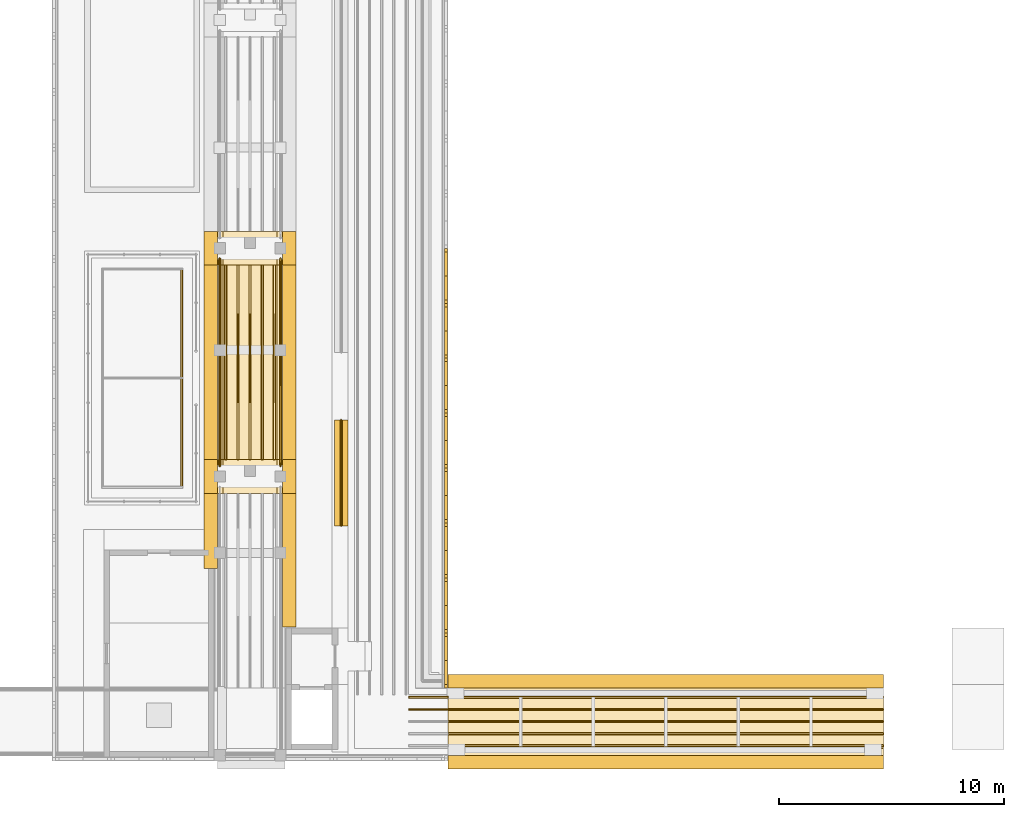
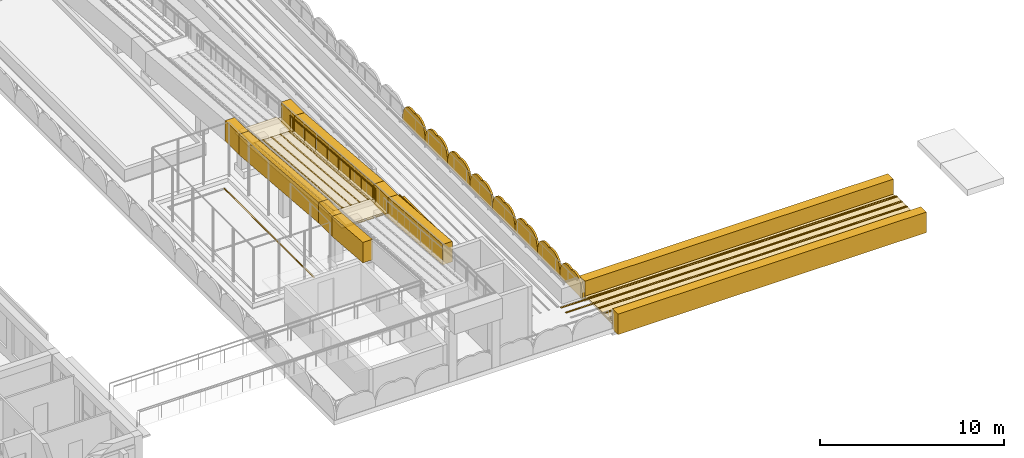
# One storey, part 46 of 50: 32 coverings, 8 shading devices, 3 railings.
"""IFC4 building model written with IfcOpenShell, lengths in metres."""

import ifcopenshell
import ifcopenshell.guid

model = None  # the IFC model being written
_history = None  # IfcOwnerHistory: only IFC2X3 demands one
_inside = {}  # id of a spatial element -> (the spatial element, [elements in it])
_under = {}  # id of a project, library or spatial element -> (it, [spatial elements below it])
_declared = {}  # id of a project -> (the project, [libraries it declares])
_typed = {}  # id of a type object -> (the type object, [elements of that type])
_made_of = {}  # id of a material, layer set ... -> (it, [elements and type objects made of it])


def new_model(schema):
    """Start an empty IFC model of exactly this schema.

    Asked for "IFC4X3", IfcOpenShell would pick the latest addendum, in which some entities
    have other attributes; the version numbers below select the first issue.
    IFC2X3 requires an IfcOwnerHistory on every rooted entity: one is made here for all.
    """
    global model, _history
    if schema == "IFC4X3":
        model = ifcopenshell.file(schema_version=(4, 3, 0, 0))
    else:
        model = ifcopenshell.file(schema=schema)
    _inside.clear()
    _under.clear()
    _declared.clear()
    _typed.clear()
    _made_of.clear()
    _history = None
    if model.schema == "IFC2X3":
        org = make("IfcOrganization", Name="unknown")
        user = make(
            "IfcPersonAndOrganization",
            ThePerson=make("IfcPerson", FamilyName="unknown"),
            TheOrganization=org,
        )
        app = make(
            "IfcApplication",
            ApplicationDeveloper=org,
            Version="unknown",
            ApplicationFullName="unknown",
            ApplicationIdentifier="unknown",
        )
        _history = make(
            "IfcOwnerHistory",
            OwningUser=user,
            OwningApplication=app,
            ChangeAction="ADDED",
            CreationDate=0,
        )
    return model


def make(cls, **values):
    """One entity of the class cls with the attributes given. An attribute that is None is left unset."""
    return model.create_entity(
        cls, **{name: value for name, value in values.items() if value is not None}
    )


def rooted(cls, **values):
    """An entity with a GlobalId (a new one), such as an element, a storey or a relation."""
    return make(cls, GlobalId=ifcopenshell.guid.new(), OwnerHistory=_history, **values)


def si_unit(unit_type, name, prefix=None):
    """IfcSIUnit, for example si_unit("LENGTHUNIT", "METRE", prefix="MILLI")."""
    return make("IfcSIUnit", UnitType=unit_type, Prefix=prefix, Name=name)


def assignment(units):
    """IfcUnitAssignment: the units of a project."""
    return None if units is None else make("IfcUnitAssignment", Units=units)


def point(xyz):
    """IfcCartesianPoint."""
    return None if xyz is None else make("IfcCartesianPoint", Coordinates=xyz)


def direction(xyz):
    """IfcDirection."""
    return None if xyz is None else make("IfcDirection", DirectionRatios=xyz)


def frame(location, z_axis=None, x_axis=None):
    """IfcAxis2Placement3D, a coordinate frame: its origin and axes. An axis left out is left unset."""
    return make(
        "IfcAxis2Placement3D",
        Location=point(location),
        Axis=direction(z_axis),
        RefDirection=direction(x_axis),
    )


def frame_2d(location, x_axis=None):
    """IfcAxis2Placement2D, a coordinate frame in the plane: its origin and x axis."""
    return make(
        "IfcAxis2Placement2D", Location=point(location), RefDirection=direction(x_axis)
    )


def origin():
    """The frame at (0, 0, 0) with its axes left unset."""
    return frame((0.0, 0.0, 0.0))


def origin_2d():
    """The frame at (0, 0) in the plane with its x axis left unset."""
    return frame_2d((0.0, 0.0))


def place(relative_to, where):
    """IfcLocalPlacement: puts the frame where relative to a parent placement (None: the world)."""
    return make(
        "IfcLocalPlacement", PlacementRelTo=relative_to, RelativePlacement=where
    )


def context(
    kind, dimensions, precision=None, world=None, true_north=None, identifier=None
):
    """IfcGeometricRepresentationContext, for example the 3D "Model" context."""
    return make(
        "IfcGeometricRepresentationContext",
        ContextIdentifier=identifier,
        ContextType=kind,
        CoordinateSpaceDimension=dimensions,
        Precision=precision,
        WorldCoordinateSystem=world,
        TrueNorth=true_north,
    )


def subcontext(parent, identifier, kind, view, scale=None):
    """IfcGeometricRepresentationSubContext, for example "Body" below "Model"."""
    return make(
        "IfcGeometricRepresentationSubContext",
        ContextIdentifier=identifier,
        ContextType=kind,
        ParentContext=parent,
        TargetScale=scale,
        TargetView=view,
    )


def project(units=None, contexts=None):
    """IfcProject with its units and contexts."""
    return rooted(
        "IfcProject",
        Name="project",
        RepresentationContexts=contexts,
        UnitsInContext=assignment(units),
    )


def spatial(cls, under=None, at=None, **own):
    """A site, building, storey or space (cls), placed at a placement, below another one or the project."""
    s = rooted(cls, ObjectPlacement=at, **own)
    if under is not None:
        _under.setdefault(under.id(), (under, []))[1].append(s)
    return s


def polyline(points):
    """IfcPolyline through the points."""
    return make("IfcPolyline", Points=[point(p) for p in points])


def profile(cls, at=None, kind="AREA", **sizes):
    """A parametric profile (cls). Its sizes go by their IFC names, for example OverallWidth=200.0."""
    return make(cls, ProfileType=kind, Position=at, **sizes)


def circle(**sizes):
    """IfcCircleProfileDef."""
    return profile("IfcCircleProfileDef", **sizes)


def outline(outer, holes=None, kind="AREA"):
    """IfcArbitraryClosedProfileDef: a profile drawn as a closed curve; with holes, ...WithVoids."""
    if holes is None:
        return make("IfcArbitraryClosedProfileDef", ProfileType=kind, OuterCurve=outer)
    return make(
        "IfcArbitraryProfileDefWithVoids",
        ProfileType=kind,
        OuterCurve=outer,
        InnerCurves=holes,
    )


def extrude(swept, where, along, depth):
    """IfcExtrudedAreaSolid: the profile swept, set in the frame where, extruded along a direction by depth."""
    return make(
        "IfcExtrudedAreaSolid",
        SweptArea=swept,
        Position=where,
        ExtrudedDirection=direction(along),
        Depth=depth,
    )


def shape(context_of_items, identifier, shape_type, items):
    """IfcShapeRepresentation: the items that make up one representation, for example the "Body"."""
    return make(
        "IfcShapeRepresentation",
        ContextOfItems=context_of_items,
        RepresentationIdentifier=identifier,
        RepresentationType=shape_type,
        Items=items,
    )


def material(Name=None, Category=None):
    """IfcMaterial."""
    return make("IfcMaterial", Name=Name, Category=Category)


def layer(
    of_material, thickness, ventilated=None, Name=None, Category=None, Priority=None
):
    """IfcMaterialLayer: one layer of a wall or slab, of a material (None: an air gap)."""
    return make(
        "IfcMaterialLayer",
        Material=of_material,
        LayerThickness=thickness,
        IsVentilated=ventilated,
        Name=Name,
        Category=Category,
        Priority=Priority,
    )


def layer_set(layers, Name=None):
    """IfcMaterialLayerSet."""
    return make("IfcMaterialLayerSet", MaterialLayers=layers, LayerSetName=Name)


def made_of(thing, what):
    """Note that an element or type object is made of a material, layer set ...; save() writes the relation."""
    if what is not None:
        _made_of.setdefault(what.id(), (what, []))[1].append(thing)
    return thing


def type_object(cls, material=None, **own):
    """A type object (cls), such as IfcWallType, which elements share."""
    return made_of(rooted(cls, **own), material)


def element(
    cls,
    number,
    at=None,
    inside=None,
    cuts=None,
    type_object=None,
    material=None,
    context=None,
    identifier="Body",
    shape_type=None,
    held_by="IfcProductDefinitionShape",
    body=None,
    shapes=None,
    **own,
):
    """One element of the class cls, such as IfcWall. Its Tag is "e" and its number.

    at: its placement. inside: the storey or other place that contains it. cuts: it is an
    opening in that element (IfcRelVoidsElement). A single representation is given by context,
    identifier, shape_type and body (its items); several are given by shapes. held_by: the class
    of the entity that holds the representations. save() writes the other relations.
    """
    e = rooted(cls, Tag="e%d" % number, ObjectPlacement=at, **own)
    if body is not None:
        shapes = [shape(context, identifier, shape_type, body)]
    if shapes is not None:
        e.Representation = make(held_by, Representations=shapes)
    if inside is not None:
        _inside.setdefault(inside.id(), (inside, []))[1].append(e)
    if cuts is not None:
        rooted(
            "IfcRelVoidsElement", RelatingBuildingElement=cuts, RelatedOpeningElement=e
        )
    if type_object is not None:
        _typed.setdefault(type_object.id(), (type_object, []))[1].append(e)
    return made_of(e, material)


def aggregate(whole, parts):
    """IfcRelAggregates: a whole, such as a stair, and the parts it consists of."""
    return rooted("IfcRelAggregates", RelatingObject=whole, RelatedObjects=parts)


def save(model, path):
    """Write the relations noted so far, then the file.

    IfcRelAggregates (storeys below a building ...), IfcRelContainedInSpatialStructure (elements
    in a storey), IfcRelDefinesByType, IfcRelAssociatesMaterial and IfcRelDeclares: one each for
    every whole, place, type object, material and project.
    """
    for whole, parts in _under.values():
        aggregate(whole, parts)
    for where, things in _inside.values():
        rooted(
            "IfcRelContainedInSpatialStructure",
            RelatedElements=things,
            RelatingStructure=where,
        )
    for kind, things in _typed.values():
        rooted("IfcRelDefinesByType", RelatedObjects=things, RelatingType=kind)
    for what, things in _made_of.values():
        rooted("IfcRelAssociatesMaterial", RelatedObjects=things, RelatingMaterial=what)
    for by, libraries in _declared.values():
        rooted("IfcRelDeclares", RelatingContext=by, RelatedDefinitions=libraries)
    model.write(path)


model = new_model("IFC4")

# Units and contexts
model_context = context("Model", 3, precision=1e-05, world=origin(), true_north=direction((0.0, 1.0)))
body_context = subcontext(model_context, "Body", "Model", "MODEL_VIEW")
ifc_project = project(units=[si_unit("LENGTHUNIT", "METRE"), si_unit("AREAUNIT", "SQUARE_METRE"), si_unit("VOLUMEUNIT", "CUBIC_METRE"), si_unit("PLANEANGLEUNIT", "RADIAN"), si_unit("MASSUNIT", "GRAM", prefix="KILO")], contexts=[model_context])

# Site, building, storey
site_placement = place(None, origin())
site = spatial("IfcSite", under=ifc_project, at=site_placement, CompositionType="ELEMENT")
building_placement = place(site_placement, origin())
building = spatial("IfcBuilding", under=site, at=building_placement, Name="Elbe Cascade School", CompositionType="ELEMENT")
storey_placement = place(building_placement, frame((0.0, 0.0, 15.300048828125)))
storey = spatial("IfcBuildingStorey", under=building, at=storey_placement, Name="L04", CompositionType="ELEMENT", Elevation=15.300048828125)

# Shading devices
ifc_material_1 = material(Name="Precast concrete C40/50", Category="concrete")
ifc_layer_1 = layer(ifc_material_1, 0.1201171875)
ifc_layer_set_1 = layer_set([ifc_layer_1], Name="Precast concrete C40/50")
shading_device_type = type_object("IfcShadingDeviceType", Name="Bars envelope Attic jali screen, pointed arch top, pierced precast concrete, 1200 high", PredefinedType="USERDEFINED", material=ifc_layer_set_1)
shading_device_1_placement = place(storey_placement, frame((115.919921875, 9.0, 0.0), z_axis=(1.0, 0.0, 0.0), x_axis=(0.0, 1.0, 0.0)))
element("IfcShadingDevice", 1, at=shading_device_1_placement, inside=storey, type_object=shading_device_type, Name="Attic jali screen SD1 B.L04.e2", ObjectType="JALI", PredefinedType="USERDEFINED", context=body_context, shape_type="SweptSolid", body=[
    extrude(outline(polyline([(0.0, 0.0), (2.4404296875, 0.0), (2.4404296875, 0.39990234375), (2.287841796875, 0.892822265625), (2.135498046875, 1.062744140625), (1.98291015625, 1.16748046875), (1.830322265625, 1.23193359375), (1.677734375, 1.265380859375), (1.525390625, 1.271240234375), (1.372802734375, 1.250244140625), (1.22021484375, 1.199951171875), (1.067626953125, 1.250244140625), (0.915283203125, 1.271240234375), (0.7626953125, 1.265380859375), (0.610107421875, 1.23193359375), (0.45751953125, 1.16748046875), (0.30517578125, 1.062744140625), (0.152587890625, 0.892822265625), (0.0, 0.39990234375), (0.0, 0.0)])), origin(), (0.0, 0.0, -1.0), 0.1201171875),
])
shading_device_2_placement = place(storey_placement, frame((115.919921875, 11.4404296875, 0.0), z_axis=(1.0, 0.0, 0.0), x_axis=(0.0, 1.0, 0.0)))
element("IfcShadingDevice", 2, at=shading_device_2_placement, inside=storey, type_object=shading_device_type, Name="Attic jali screen SD1 B.L04.e3", ObjectType="JALI", PredefinedType="USERDEFINED", context=body_context, shape_type="SweptSolid", body=[
    extrude(outline(polyline([(0.0, 0.0), (2.440673828125, 0.0), (2.440673828125, 0.39990234375), (2.2880859375, 0.892822265625), (2.135498046875, 1.062744140625), (1.98291015625, 1.16748046875), (1.830322265625, 1.23193359375), (1.677978515625, 1.265380859375), (1.525390625, 1.271240234375), (1.372802734375, 1.250244140625), (1.22021484375, 1.199951171875), (1.06787109375, 1.250244140625), (0.915283203125, 1.271240234375), (0.7626953125, 1.265380859375), (0.610107421875, 1.23193359375), (0.457763671875, 1.16748046875), (0.30517578125, 1.062744140625), (0.152587890625, 0.892822265625), (0.0, 0.39990234375), (0.0, 0.0)])), origin(), (0.0, 0.0, -1.0), 0.1201171875),
])
shading_device_3_placement = place(storey_placement, frame((115.919921875, 13.881103515625, 0.0), z_axis=(1.0, 0.0, 0.0), x_axis=(0.0, 1.0, 0.0)))
element("IfcShadingDevice", 3, at=shading_device_3_placement, inside=storey, type_object=shading_device_type, Name="Attic jali screen SD1 B.L04.e4", ObjectType="JALI", PredefinedType="USERDEFINED", context=body_context, shape_type="SweptSolid", body=[
    extrude(outline(polyline([(0.0, 0.0), (2.440185546875, 0.0), (2.440185546875, 0.39990234375), (2.287841796875, 0.892822265625), (2.13525390625, 1.062744140625), (1.982666015625, 1.16748046875), (1.830078125, 1.23193359375), (1.677734375, 1.265380859375), (1.525146484375, 1.271240234375), (1.37255859375, 1.250244140625), (1.22021484375, 1.199951171875), (1.067626953125, 1.250244140625), (0.9150390625, 1.271240234375), (0.762451171875, 1.265380859375), (0.610107421875, 1.23193359375), (0.457275390625, 1.16748046875), (0.304931640625, 1.062744140625), (0.15234375, 0.892822265625), (0.0, 0.39990234375), (0.0, 0.0)])), origin(), (0.0, 0.0, -1.0), 0.1201171875),
])
shading_device_4_placement = place(storey_placement, frame((115.919921875, 16.3212890625, 0.0), z_axis=(1.0, 0.0, 0.0), x_axis=(0.0, 1.0, 0.0)))
element("IfcShadingDevice", 4, at=shading_device_4_placement, inside=storey, type_object=shading_device_type, Name="Attic jali screen SD1 B.L04.e5", ObjectType="JALI", PredefinedType="USERDEFINED", context=body_context, shape_type="SweptSolid", body=[
    extrude(outline(polyline([(0.0, 0.0), (2.440673828125, 0.0), (2.440673828125, 0.39990234375), (2.2880859375, 0.892822265625), (2.135498046875, 1.062744140625), (1.98291015625, 1.16748046875), (1.83056640625, 1.23193359375), (1.677978515625, 1.265380859375), (1.525390625, 1.271240234375), (1.372802734375, 1.250244140625), (1.220458984375, 1.199951171875), (1.06787109375, 1.250244140625), (0.915283203125, 1.271240234375), (0.7626953125, 1.265380859375), (0.610107421875, 1.23193359375), (0.457763671875, 1.16748046875), (0.30517578125, 1.062744140625), (0.15283203125, 0.892822265625), (0.0, 0.39990234375), (0.0, 0.0)])), origin(), (0.0, 0.0, -1.0), 0.1201171875),
])
shading_device_5_placement = place(storey_placement, frame((115.919921875, 18.761962890625, 0.0), z_axis=(1.0, 0.0, 0.0), x_axis=(0.0, 1.0, 0.0)))
element("IfcShadingDevice", 5, at=shading_device_5_placement, inside=storey, type_object=shading_device_type, Name="Attic jali screen SD1 B.L04.e6", ObjectType="JALI", PredefinedType="USERDEFINED", context=body_context, shape_type="SweptSolid", body=[
    extrude(outline(polyline([(0.0, 0.0), (2.4404296875, 0.0), (2.4404296875, 0.39990234375), (2.287841796875, 0.892822265625), (2.13525390625, 1.062744140625), (1.98291015625, 1.16748046875), (1.830322265625, 1.23193359375), (1.677734375, 1.265380859375), (1.525146484375, 1.271240234375), (1.372802734375, 1.250244140625), (1.22021484375, 1.199951171875), (1.067626953125, 1.250244140625), (0.9150390625, 1.271240234375), (0.7626953125, 1.265380859375), (0.610107421875, 1.23193359375), (0.45751953125, 1.16748046875), (0.304931640625, 1.062744140625), (0.15234375, 0.892822265625), (0.0, 0.39990234375), (0.0, 0.0)])), origin(), (0.0, 0.0, -1.0), 0.1201171875),
])
shading_device_6_placement = place(storey_placement, frame((115.919921875, 21.202392578125, 0.0), z_axis=(1.0, 0.0, 0.0), x_axis=(0.0, 1.0, 0.0)))
element("IfcShadingDevice", 6, at=shading_device_6_placement, inside=storey, type_object=shading_device_type, Name="Attic jali screen SD1 B.L04.e7", ObjectType="JALI", PredefinedType="USERDEFINED", context=body_context, shape_type="SweptSolid", body=[
    extrude(outline(polyline([(0.0, 0.0), (2.4404296875, 0.0), (2.4404296875, 0.39990234375), (2.287841796875, 0.892822265625), (2.135498046875, 1.062744140625), (1.98291015625, 1.16748046875), (1.830322265625, 1.23193359375), (1.677734375, 1.265380859375), (1.525390625, 1.271240234375), (1.372802734375, 1.250244140625), (1.22021484375, 1.199951171875), (1.067626953125, 1.250244140625), (0.915283203125, 1.271240234375), (0.7626953125, 1.265380859375), (0.610107421875, 1.23193359375), (0.45751953125, 1.16748046875), (0.304931640625, 1.062744140625), (0.152587890625, 0.892822265625), (0.0, 0.39990234375), (0.0, 0.0)])), origin(), (0.0, 0.0, -1.0), 0.1201171875),
])
shading_device_7_placement = place(storey_placement, frame((115.919921875, 23.642822265625, 0.0), z_axis=(1.0, 0.0, 0.0), x_axis=(0.0, 1.0, 0.0)))
element("IfcShadingDevice", 7, at=shading_device_7_placement, inside=storey, type_object=shading_device_type, Name="Attic jali screen SD1 B.L04.e8", ObjectType="JALI", PredefinedType="USERDEFINED", context=body_context, shape_type="SweptSolid", body=[
    extrude(outline(polyline([(0.0, 0.0), (2.4404296875, 0.0), (2.4404296875, 0.39990234375), (2.2880859375, 0.892822265625), (2.135498046875, 1.062744140625), (1.98291015625, 1.16748046875), (1.830322265625, 1.23193359375), (1.677978515625, 1.265380859375), (1.525390625, 1.271240234375), (1.372802734375, 1.250244140625), (1.22021484375, 1.199951171875), (1.06787109375, 1.250244140625), (0.915283203125, 1.271240234375), (0.7626953125, 1.265380859375), (0.610107421875, 1.23193359375), (0.45751953125, 1.16748046875), (0.30517578125, 1.062744140625), (0.152587890625, 0.892822265625), (0.0, 0.39990234375), (0.0, 0.0)])), origin(), (0.0, 0.0, -1.0), 0.1201171875),
])
shading_device_8_placement = place(storey_placement, frame((115.919921875, 26.083251953125, 0.0), z_axis=(1.0, 0.0, 0.0), x_axis=(0.0, 1.0, 0.0)))
element("IfcShadingDevice", 8, at=shading_device_8_placement, inside=storey, type_object=shading_device_type, Name="Attic jali screen SD1 B.L04.e9", ObjectType="JALI", PredefinedType="USERDEFINED", context=body_context, shape_type="SweptSolid", body=[
    extrude(outline(polyline([(0.0, 0.0), (2.4404296875, 0.0), (2.4404296875, 0.39990234375), (2.2880859375, 0.892822265625), (2.135498046875, 1.062744140625), (1.98291015625, 1.16748046875), (1.83056640625, 1.23193359375), (1.677978515625, 1.265380859375), (1.525390625, 1.271240234375), (1.372802734375, 1.250244140625), (1.220458984375, 1.199951171875), (1.067626953125, 1.250244140625), (0.915283203125, 1.271240234375), (0.7626953125, 1.265380859375), (0.6103515625, 1.23193359375), (0.457763671875, 1.16748046875), (0.30517578125, 1.062744140625), (0.152587890625, 0.892822265625), (0.0, 0.39990234375), (0.0, 0.0)])), origin(), (0.0, 0.0, -1.0), 0.1201171875),
])

# Coverings
ifc_material_2 = material(Name="Running track surfacing - white lines", Category="surfacing")
ifc_layer_2 = layer(ifc_material_2, 0.02001953125)
ifc_layer_set_2 = layer_set([ifc_layer_2], Name="Running track surfacing - white lines")
covering_type_1 = type_object("IfcCoveringType", Name="Lane marking 80", PredefinedType="FLOORING", material=ifc_layer_set_2)
covering_1_placement = place(storey_placement, frame((0.0, 0.0, 0.219970703125)))
element("IfcCovering", 9, at=covering_1_placement, inside=storey, type_object=covering_type_1, Name="Lane marking B roof leg 4", PredefinedType="FLOORING", context=body_context, shape_type="SweptSolid", body=[
    extrude(outline(polyline([(114.199951171875, 8.0), (115.949951171875, 8.0), (115.949951171875, 8.080078125), (114.199951171875, 8.080078125), (114.199951171875, 8.0)])), origin(), (0.0, 0.0, 1.0), 0.02001953125),
])
covering_2_placement = place(storey_placement, frame((0.0, 0.0, 0.219970703125)))
element("IfcCovering", 10, at=covering_2_placement, inside=storey, type_object=covering_type_1, Name="Lane marking B roof leg 5", PredefinedType="FLOORING", context=body_context, shape_type="SweptSolid", body=[
    extrude(outline(polyline([(114.199951171875, 8.5400390625), (115.949951171875, 8.5400390625), (115.949951171875, 8.6201171875), (114.199951171875, 8.6201171875), (114.199951171875, 8.5400390625)])), origin(), (0.0, 0.0, 1.0), 0.02001953125),
])
covering_3_placement = place(storey_placement, frame((0.0, 0.0, 0.219970703125)))
element("IfcCovering", 11, at=covering_3_placement, inside=storey, type_object=covering_type_1, Name="Lane marking bridge B-C 1", PredefinedType="FLOORING", context=body_context, shape_type="SweptSolid", body=[
    extrude(outline(polyline([(115.949951171875, 6.3798828125), (135.300048828125, 6.3798828125), (135.300048828125, 6.4599609375), (115.949951171875, 6.4599609375), (115.949951171875, 6.3798828125)])), origin(), (0.0, 0.0, 1.0), 0.02001953125),
])
covering_4_placement = place(storey_placement, frame((0.0, 0.0, 0.219970703125)))
element("IfcCovering", 12, at=covering_4_placement, inside=storey, type_object=covering_type_1, Name="Lane marking bridge B-C 2", PredefinedType="FLOORING", context=body_context, shape_type="SweptSolid", body=[
    extrude(outline(polyline([(115.949951171875, 6.919921875), (135.300048828125, 6.919921875), (135.300048828125, 7.0), (115.949951171875, 7.0), (115.949951171875, 6.919921875)])), origin(), (0.0, 0.0, 1.0), 0.02001953125),
])
covering_5_placement = place(storey_placement, frame((0.0, 0.0, 0.219970703125)))
element("IfcCovering", 13, at=covering_5_placement, inside=storey, type_object=covering_type_1, Name="Lane marking bridge B-C 3", PredefinedType="FLOORING", context=body_context, shape_type="SweptSolid", body=[
    extrude(outline(polyline([(115.949951171875, 7.4599609375), (135.300048828125, 7.4599609375), (135.300048828125, 7.5400390625), (115.949951171875, 7.5400390625), (115.949951171875, 7.4599609375)])), origin(), (0.0, 0.0, 1.0), 0.02001953125),
])
covering_6_placement = place(storey_placement, frame((0.0, 0.0, 0.219970703125)))
element("IfcCovering", 14, at=covering_6_placement, inside=storey, type_object=covering_type_1, Name="Lane marking bridge B-C 4", PredefinedType="FLOORING", context=body_context, shape_type="SweptSolid", body=[
    extrude(outline(polyline([(115.949951171875, 8.0), (135.300048828125, 8.0), (135.300048828125, 8.080078125), (115.949951171875, 8.080078125), (115.949951171875, 8.0)])), origin(), (0.0, 0.0, 1.0), 0.02001953125),
])
covering_7_placement = place(storey_placement, frame((0.0, 0.0, 0.219970703125)))
element("IfcCovering", 15, at=covering_7_placement, inside=storey, type_object=covering_type_1, Name="Lane marking bridge B-C 5", PredefinedType="FLOORING", context=body_context, shape_type="SweptSolid", body=[
    extrude(outline(polyline([(115.949951171875, 8.5400390625), (135.300048828125, 8.5400390625), (135.300048828125, 8.6201171875), (115.949951171875, 8.6201171875), (115.949951171875, 8.5400390625)])), origin(), (0.0, 0.0, 1.0), 0.02001953125),
])
covering_8_placement = place(storey_placement, frame((106.030029296875, 19.139892578125, 3.119873046875), z_axis=(0.0, 0.083040819057, 0.996546146634), x_axis=(0.0, 0.996546146634, -0.083040819057)))
element("IfcCovering", 16, at=covering_8_placement, inside=storey, type_object=covering_type_1, Name="Lane marking B ramp flight 2 line 1", PredefinedType="FLOORING", context=body_context, shape_type="SweptSolid", body=[
    extrude(outline(polyline([(0.0, 0.0), (8.670081910342619, 0.0), (8.670081910342619, -0.080078125), (0.0, -0.080078125), (0.0, 0.0)])), origin(), (0.083040819057, 0.0, -0.996546146634), 0.02001953125),
])
for number, where, z_axis, x_axis, name in (
    (17, (106.570068359375, 19.139892578125, 3.119873046875), (0.0, 0.083040819057, 0.996546146634), (0.0, 0.996546146634, -0.083040819057), "Lane marking B ramp flight 2 line 2"),
    (18, (107.110107421875, 19.139892578125, 3.119873046875), (0.0, 0.083040819057, 0.996546146634), (0.0, 0.996546146634, -0.083040819057), "Lane marking B ramp flight 2 line 3"),
):
    element("IfcCovering", number, at=place(storey_placement, frame(where, z_axis=z_axis, x_axis=x_axis)), inside=storey, type_object=covering_type_1, Name=name, PredefinedType="FLOORING", context=body_context, shape_type="SweptSolid", body=[
        extrude(outline(polyline([(0.0, 0.0), (8.670081910342619, 0.0), (8.670081910342619, -0.079833984375), (0.0, -0.079833984375), (0.0, 0.0)])), origin(), (0.083040819057, 0.0, -0.996546146634), 0.02001953125),
    ])
for number, where, z_axis, x_axis, name in (
    (19, (107.64990234375, 19.139892578125, 3.119873046875), (0.0, 0.083040819057, 0.996546146634), (0.0, 0.996546146634, -0.083040819057), "Lane marking B ramp flight 2 line 4"),
    (20, (108.18994140625, 19.139892578125, 3.119873046875), (0.0, 0.083040819057, 0.996546146634), (0.0, 0.996546146634, -0.083040819057), "Lane marking B ramp flight 2 line 5"),
):
    element("IfcCovering", number, at=place(storey_placement, frame(where, z_axis=z_axis, x_axis=x_axis)), inside=storey, type_object=covering_type_1, Name=name, PredefinedType="FLOORING", context=body_context, shape_type="SweptSolid", body=[
        extrude(outline(polyline([(0.0, 0.0), (8.670081910342619, 0.0), (8.670081910342619, -0.080078125), (0.0, -0.080078125), (0.0, 0.0)])), origin(), (0.083040819057, 0.0, -0.996546146634), 0.02001953125),
    ])
covering_9_placement = place(storey_placement, frame((0.0, 0.0, 0.10986328125)))
element("IfcCovering", 21, at=covering_9_placement, inside=storey, type_object=covering_type_1, Name="Court marking B.w1.4", PredefinedType="FLOORING", context=body_context, shape_type="SweptSolid", body=[
    extrude(outline(polyline([(104.070068359375, 17.875), (104.14990234375, 17.875), (104.14990234375, 27.64990234375), (104.070068359375, 27.64990234375), (104.070068359375, 17.875)])), origin(), (0.0, 0.0, 1.0), 0.02001953125),
])
ifc_material_3 = material(Name="Concrete C30/37 precast parapet", Category="concrete")
ifc_layer_3 = layer(ifc_material_3, 0.60009765625)
ifc_layer_set_3 = layer_set([ifc_layer_3], Name="Concrete C30/37 precast parapet")
covering_type_2 = type_object("IfcCoveringType", Name="Ramp and bridge parapet 600", PredefinedType="CLADDING", material=ifc_layer_set_3)
covering_10_placement = place(storey_placement, frame((0.0, 0.0, 2.639892578125)))
element("IfcCovering", 22, at=covering_10_placement, inside=storey, type_object=covering_type_2, Name="Ramp B landing 2 parapet w1", PredefinedType="CLADDING", context=body_context, shape_type="SweptSolid", body=[
    extrude(outline(polyline([(105.10009765625, 17.639892578125), (105.699951171875, 17.639892578125), (105.699951171875, 19.139892578125), (105.10009765625, 19.139892578125), (105.10009765625, 17.639892578125)])), origin(), (0.0, 0.0, 1.0), 1.360107421875),
])
covering_11_placement = place(storey_placement, frame((0.0, 0.0, 1.919921875)))
element("IfcCovering", 23, at=covering_11_placement, inside=storey, type_object=covering_type_2, Name="Ramp B landing 3 parapet w1", PredefinedType="CLADDING", context=body_context, shape_type="SweptSolid", body=[
    extrude(outline(polyline([(105.10009765625, 27.780029296875), (105.699951171875, 27.780029296875), (105.699951171875, 29.280029296875), (105.10009765625, 29.280029296875), (105.10009765625, 27.780029296875)])), origin(), (0.0, 0.0, 1.0), 1.360107421875),
])
covering_12_placement = place(storey_placement, frame((105.10009765625, 14.300048828125, 4.2783203125), z_axis=(0.0, 0.083045479854, 0.996545758245), x_axis=(0.0, 0.996545758245, -0.083045479854)))
element("IfcCovering", 24, at=covering_12_placement, inside=storey, type_object=covering_type_2, Name="Ramp B flight 1 parapet w2", PredefinedType="CLADDING", context=body_context, shape_type="SweptSolid", body=[
    extrude(outline(polyline([(0.0, 0.0), (3.3514203661677775, 0.0), (3.3514203661677775, -0.599853515625), (0.0, -0.599853515625), (0.0, 0.0)])), origin(), (0.083045479854, 0.0, -0.996545758245), 1.360107421875),
])
covering_13_placement = place(storey_placement, frame((105.10009765625, 19.139892578125, 4.0), z_axis=(0.0, 0.083040819057, 0.996546146634), x_axis=(0.0, 0.996546146634, -0.083040819057)))
element("IfcCovering", 25, at=covering_13_placement, inside=storey, type_object=covering_type_2, Name="Ramp B flight 2 parapet w1", PredefinedType="CLADDING", context=body_context, shape_type="SweptSolid", body=[
    extrude(outline(polyline([(0.0, 0.0), (8.670081910342619, 0.0), (8.670081910342619, -0.599853515625), (0.0, -0.599853515625), (0.0, 0.0)])), origin(), (0.083040819057, 0.0, -0.996546146634), 1.360107421875),
])
covering_14_placement = place(storey_placement, frame((0.0, 0.0, 2.639892578125)))
element("IfcCovering", 26, at=covering_14_placement, inside=storey, type_object=covering_type_2, Name="Ramp B landing 2 parapet e1", PredefinedType="CLADDING", context=body_context, shape_type="SweptSolid", body=[
    extrude(outline(polyline([(108.60009765625, 17.639892578125), (109.199951171875, 17.639892578125), (109.199951171875, 19.139892578125), (108.60009765625, 19.139892578125), (108.60009765625, 17.639892578125)])), origin(), (0.0, 0.0, 1.0), 1.360107421875),
])
covering_15_placement = place(storey_placement, frame((0.0, 0.0, 1.919921875)))
element("IfcCovering", 27, at=covering_15_placement, inside=storey, type_object=covering_type_2, Name="Ramp B landing 3 parapet e1", PredefinedType="CLADDING", context=body_context, shape_type="SweptSolid", body=[
    extrude(outline(polyline([(108.60009765625, 27.780029296875), (109.199951171875, 27.780029296875), (109.199951171875, 29.280029296875), (108.60009765625, 29.280029296875), (108.60009765625, 27.780029296875)])), origin(), (0.0, 0.0, 1.0), 1.360107421875),
])
covering_16_placement = place(storey_placement, frame((108.60009765625, 11.699951171875, 4.494873046875), z_axis=(0.0, 0.083025141269, 0.996547452918), x_axis=(0.0, 0.996547452918, -0.083025141269)))
element("IfcCovering", 28, at=covering_16_placement, inside=storey, type_object=covering_type_2, Name="Ramp B flight 1 parapet e2", PredefinedType="CLADDING", context=body_context, shape_type="SweptSolid", body=[
    extrude(outline(polyline([(0.0, 0.0), (5.9605203835073475, 0.0), (5.9605203835073475, -0.599853515625), (0.0, -0.599853515625), (0.0, 0.0)])), origin(), (0.083025141269, 0.0, -0.996547452918), 1.360107421875),
])
covering_17_placement = place(storey_placement, frame((108.60009765625, 19.139892578125, 4.0), z_axis=(0.0, 0.083040819057, 0.996546146634), x_axis=(0.0, 0.996546146634, -0.083040819057)))
element("IfcCovering", 29, at=covering_17_placement, inside=storey, type_object=covering_type_2, Name="Ramp B flight 2 parapet e1", PredefinedType="CLADDING", context=body_context, shape_type="SweptSolid", body=[
    extrude(outline(polyline([(0.0, 0.0), (8.670081910342619, 0.0), (8.670081910342619, -0.599853515625), (0.0, -0.599853515625), (0.0, 0.0)])), origin(), (0.083040819057, 0.0, -0.996546146634), 1.360107421875),
])
covering_18_placement = place(storey_placement, frame((0.0, 0.0, -0.239990234375)))
element("IfcCovering", 30, at=covering_18_placement, inside=storey, type_object=covering_type_2, Name="Bridge B-C parapet s", PredefinedType="CLADDING", context=body_context, shape_type="SweptSolid", body=[
    extrude(outline(polyline([(115.949951171875, 5.39990234375), (135.300048828125, 5.39990234375), (135.300048828125, 6.0), (115.949951171875, 6.0), (115.949951171875, 5.39990234375)])), origin(), (0.0, 0.0, 1.0), 1.35986328125),
])
covering_19_placement = place(storey_placement, frame((0.0, 0.0, -0.239990234375)))
element("IfcCovering", 31, at=covering_19_placement, inside=storey, type_object=covering_type_2, Name="Bridge B-C parapet n", PredefinedType="CLADDING", context=body_context, shape_type="SweptSolid", body=[
    extrude(outline(polyline([(115.949951171875, 9.0), (135.300048828125, 9.0), (135.300048828125, 9.60009765625), (115.949951171875, 9.60009765625), (115.949951171875, 9.0)])), origin(), (0.0, 0.0, 1.0), 1.35986328125),
])
ifc_material_4 = material(Name="Running track surfacing - red", Category="surfacing")
ifc_layer_4 = layer(ifc_material_4, 0.10009765625)
ifc_layer_set_4 = layer_set([ifc_layer_4], Name="Running track surfacing - red")
covering_type_3 = type_object("IfcCoveringType", Name="Running track band 100", PredefinedType="USERDEFINED", material=ifc_layer_set_4)
covering_20_placement = place(storey_placement, frame((0.0, 0.0, 3.0)))
element("IfcCovering", 32, at=covering_20_placement, inside=storey, type_object=covering_type_3, Name="Running track band B ramp landing 2", ObjectType="RUNNING TRACK", PredefinedType="USERDEFINED", context=body_context, shape_type="SweptSolid", body=[
    extrude(outline(polyline([(108.35009765625, 17.639892578125), (108.35009765625, 19.139892578125), (105.949951171875, 19.139892578125), (105.949951171875, 17.639892578125), (108.35009765625, 17.639892578125)])), origin(), (0.0, 0.0, 1.0), 0.099853515625),
])
covering_21_placement = place(storey_placement, frame((0.0, 0.0, 2.280029296875)))
element("IfcCovering", 33, at=covering_21_placement, inside=storey, type_object=covering_type_3, Name="Running track band B ramp landing 3", ObjectType="RUNNING TRACK", PredefinedType="USERDEFINED", context=body_context, shape_type="SweptSolid", body=[
    extrude(outline(polyline([(108.35009765625, 27.780029296875), (108.35009765625, 29.280029296875), (105.949951171875, 29.280029296875), (105.949951171875, 27.780029296875), (108.35009765625, 27.780029296875)])), origin(), (0.0, 0.0, 1.0), 0.099853515625),
])
covering_22_placement = place(storey_placement, frame((105.949951171875, 19.139892578125, 3.099853515625), z_axis=(0.0, 0.083040819057, 0.996546146634), x_axis=(0.0, 0.996546146634, -0.083040819057)))
element("IfcCovering", 34, at=covering_22_placement, inside=storey, type_object=covering_type_3, Name="Running track band B ramp flight 2", ObjectType="RUNNING TRACK", PredefinedType="USERDEFINED", context=body_context, shape_type="SweptSolid", body=[
    extrude(outline(polyline([(0.0, 0.0), (8.670081910342619, 0.0), (8.670081910342619, -2.400146484375), (0.0, -2.400146484375), (0.0, 0.0)])), origin(), (0.083040819057, 0.0, -0.996546146634), 0.10009765625),
])
covering_23_placement = place(storey_placement, frame((0.0, 0.0, 0.119873046875)))
element("IfcCovering", 35, at=covering_23_placement, inside=storey, type_object=covering_type_3, Name="Running track band bridge B-C", ObjectType="RUNNING TRACK", PredefinedType="USERDEFINED", context=body_context, shape_type="SweptSolid", body=[
    extrude(outline(polyline([(135.300048828125, 6.300048828125), (135.300048828125, 8.699951171875), (115.949951171875, 8.699951171875), (115.949951171875, 6.300048828125), (135.300048828125, 6.300048828125)])), origin(), (0.0, 0.0, 1.0), 0.10009765625),
])
ifc_material_5 = material(Name="Running track surfacing - red", Category="surfacing")
ifc_layer_5 = layer(ifc_material_5, 0.06005859375)
ifc_layer_set_5 = layer_set([ifc_layer_5], Name="Running track surfacing - red")
covering_type_4 = type_object("IfcCoveringType", Name="Running track surfacing 60", PredefinedType="USERDEFINED", material=ifc_layer_set_5)
covering_24_placement = place(storey_placement, frame((0.0, 0.0, 2.93994140625)))
element("IfcCovering", 36, at=covering_24_placement, inside=storey, type_object=covering_type_4, Name="Running track B ramp landing 2", ObjectType="RUNNING TRACK", PredefinedType="USERDEFINED", context=body_context, shape_type="SweptSolid", body=[
    extrude(outline(polyline([(108.60009765625, 17.639892578125), (108.60009765625, 19.139892578125), (105.699951171875, 19.139892578125), (105.699951171875, 17.639892578125), (108.60009765625, 17.639892578125)])), origin(), (0.0, 0.0, 1.0), 0.06005859375),
])
covering_25_placement = place(storey_placement, frame((0.0, 0.0, 2.219970703125)))
element("IfcCovering", 37, at=covering_25_placement, inside=storey, type_object=covering_type_4, Name="Running track B ramp landing 3", ObjectType="RUNNING TRACK", PredefinedType="USERDEFINED", context=body_context, shape_type="SweptSolid", body=[
    extrude(outline(polyline([(108.60009765625, 27.780029296875), (108.60009765625, 29.280029296875), (105.699951171875, 29.280029296875), (105.699951171875, 27.780029296875), (108.60009765625, 27.780029296875)])), origin(), (0.0, 0.0, 1.0), 0.06005859375),
])
covering_26_placement = place(storey_placement, frame((105.699951171875, 19.139892578125, 3.0), z_axis=(0.0, 0.083040819057, 0.996546146634), x_axis=(0.0, 0.996546146634, -0.083040819057)))
element("IfcCovering", 38, at=covering_26_placement, inside=storey, type_object=covering_type_4, Name="Running track B ramp flight 2", ObjectType="RUNNING TRACK", PredefinedType="USERDEFINED", context=body_context, shape_type="SweptSolid", body=[
    extrude(outline(polyline([(0.0, 0.0), (8.670081910342619, 0.0), (8.670081910342619, -2.900146484375), (0.0, -2.900146484375), (0.0, 0.0)])), origin(), (0.083040819057, 0.0, -0.996546146634), 0.06005859375),
])
covering_27_placement = place(storey_placement, frame((0.0, 0.0, 0.06005859375)))
element("IfcCovering", 39, at=covering_27_placement, inside=storey, type_object=covering_type_4, Name="Running track bridge B-C", ObjectType="RUNNING TRACK", PredefinedType="USERDEFINED", context=body_context, shape_type="SweptSolid", body=[
    extrude(outline(polyline([(115.949951171875, 6.0), (135.300048828125, 6.0), (135.300048828125, 9.0), (115.949951171875, 9.0), (115.949951171875, 6.0)])), origin(), (0.0, 0.0, 1.0), 0.059814453125),
])

# Railings
ifc_material_6 = material(Name="Steel S355J2H", Category="steel")
railing_type_1 = type_object("IfcRailingType", Name="Track edge rail 1280", PredefinedType="GUARDRAIL", material=ifc_material_6)
railing_1_placement = place(storey_placement, frame((111.199951171875, 20.89990234375, 0.06005859375)))
element("IfcRailing", 40, at=railing_1_placement, inside=storey, type_object=railing_type_1, Name="Track edge rail RL6 B west 3", PredefinedType="GUARDRAIL", context=body_context, shape_type="SweptSolid", body=[
    extrude(circle(Radius=0.06005859375, at=origin_2d()), frame((0.0, 0.0, 1.219970703125), z_axis=(0.0, -1.0, 0.0), x_axis=(1.0, 0.0, 0.0)), (0.0, 0.0, 1.0), 4.699951171875),
    extrude(circle(Radius=0.0400390625, at=origin_2d()), origin(), (0.0, 0.0, 1.0), 1.159912109375),
    extrude(circle(Radius=0.0400390625, at=origin_2d()), frame((0.0, -1.175048828125, 0.0)), (0.0, 0.0, 1.0), 1.159912109375),
    extrude(circle(Radius=0.0400390625, at=origin_2d()), frame((0.0, -2.35009765625, 0.0)), (0.0, 0.0, 1.0), 1.159912109375),
    extrude(circle(Radius=0.0400390625, at=origin_2d()), frame((0.0, -3.52490234375, 0.0)), (0.0, 0.0, 1.0), 1.159912109375),
    extrude(circle(Radius=0.0400390625, at=origin_2d()), frame((0.0, -4.699951171875, 0.0)), (0.0, 0.0, 1.0), 1.159912109375),
])
ifc_material_7 = material(Name="Steel S355J2H", Category="steel")
railing_type_2 = type_object("IfcRailingType", Name="Track handrail 900", PredefinedType="HANDRAIL", material=ifc_material_7)
railing_2_placement = place(storey_placement, frame((108.5, 18.840087890625, 3.0)))
element("IfcRailing", 41, at=railing_2_placement, inside=storey, type_object=railing_type_2, Name="Track handrail RL5 A-B south and east flight 2", PredefinedType="HANDRAIL", context=body_context, shape_type="SweptSolid", body=[
    extrude(circle(Radius=0.0400390625, at=origin_2d()), frame((0.0, 0.0, 0.85986328125), z_axis=(0.0, 1.0, 0.0), x_axis=(-1.0, 0.0, 0.0)), (0.0, 0.0, 1.0), 0.2998046875),
    extrude(circle(Radius=0.0400390625, at=origin_2d()), frame((0.0, 0.2998046875, 0.85986328125), z_axis=(0.0, 0.996546146634, -0.083040819057), x_axis=(-1.0, 0.0, 0.0)), (0.0, 0.0, 1.0), 8.670166015625),
    extrude(circle(Radius=0.0400390625, at=origin_2d()), frame((0.0, 8.93994140625, 0.139892578125), z_axis=(0.0, 1.0, 0.0), x_axis=(-1.0, 0.0, 0.0)), (0.0, 0.0, 1.0), 0.300048828125),
    extrude(circle(Radius=0.02099609375, at=origin_2d()), origin(), (0.0, 0.0, 1.0), 0.81982421875),
    extrude(circle(Radius=0.02099609375, at=origin_2d()), frame((0.0, 0.2998046875, 0.0)), (0.0, 0.0, 1.0), 0.81982421875),
    extrude(circle(Radius=0.02099609375, at=origin_2d()), frame((0.0, 1.5341796875, -0.102783203125)), (0.0, 0.0, 1.0), 0.81982421875),
    extrude(circle(Radius=0.02099609375, at=origin_2d()), frame((0.0, 2.768310546875, -0.205810546875)), (0.0, 0.0, 1.0), 0.81982421875),
    extrude(circle(Radius=0.02099609375, at=origin_2d()), frame((0.0, 4.002685546875, -0.30859375)), (0.0, 0.0, 1.0), 0.81982421875),
    extrude(circle(Radius=0.02099609375, at=origin_2d()), frame((0.0, 5.237060546875, -0.411376953125)), (0.0, 0.0, 1.0), 0.81982421875),
    extrude(circle(Radius=0.02099609375, at=origin_2d()), frame((0.0, 6.471435546875, -0.51416015625)), (0.0, 0.0, 1.0), 0.81982421875),
    extrude(circle(Radius=0.02099609375, at=origin_2d()), frame((0.0, 7.70556640625, -0.6171875)), (0.0, 0.0, 1.0), 0.81982421875),
    extrude(circle(Radius=0.02099609375, at=origin_2d()), frame((0.0, 8.93994140625, -0.719970703125)), (0.0, 0.0, 1.0), 0.81982421875),
    extrude(circle(Radius=0.02099609375, at=origin_2d()), frame((0.0, 9.239990234375, -0.719970703125)), (0.0, 0.0, 1.0), 0.81982421875),
])
railing_3_placement = place(storey_placement, frame((105.800048828125, 18.840087890625, 3.0)))
element("IfcRailing", 42, at=railing_3_placement, inside=storey, type_object=railing_type_2, Name="Track handrail RL5 A-B north and west flight 2", PredefinedType="HANDRAIL", context=body_context, shape_type="SweptSolid", body=[
    extrude(circle(Radius=0.0400390625, at=origin_2d()), frame((0.0, 0.0, 0.85986328125), z_axis=(0.0, 1.0, 0.0), x_axis=(-1.0, 0.0, 0.0)), (0.0, 0.0, 1.0), 0.2998046875),
    extrude(circle(Radius=0.0400390625, at=origin_2d()), frame((0.0, 0.2998046875, 0.85986328125), z_axis=(0.0, 0.996546146634, -0.083040819057), x_axis=(-1.0, 0.0, 0.0)), (0.0, 0.0, 1.0), 8.670166015625),
    extrude(circle(Radius=0.0400390625, at=origin_2d()), frame((0.0, 8.93994140625, 0.139892578125), z_axis=(0.0, 1.0, 0.0), x_axis=(-1.0, 0.0, 0.0)), (0.0, 0.0, 1.0), 0.300048828125),
    extrude(circle(Radius=0.02099609375, at=origin_2d()), origin(), (0.0, 0.0, 1.0), 0.81982421875),
    extrude(circle(Radius=0.02099609375, at=origin_2d()), frame((0.0, 0.2998046875, 0.0)), (0.0, 0.0, 1.0), 0.81982421875),
    extrude(circle(Radius=0.02099609375, at=origin_2d()), frame((0.0, 1.5341796875, -0.102783203125)), (0.0, 0.0, 1.0), 0.81982421875),
    extrude(circle(Radius=0.02099609375, at=origin_2d()), frame((0.0, 2.768310546875, -0.205810546875)), (0.0, 0.0, 1.0), 0.81982421875),
    extrude(circle(Radius=0.02099609375, at=origin_2d()), frame((0.0, 4.002685546875, -0.30859375)), (0.0, 0.0, 1.0), 0.81982421875),
    extrude(circle(Radius=0.02099609375, at=origin_2d()), frame((0.0, 5.237060546875, -0.411376953125)), (0.0, 0.0, 1.0), 0.81982421875),
    extrude(circle(Radius=0.02099609375, at=origin_2d()), frame((0.0, 6.471435546875, -0.51416015625)), (0.0, 0.0, 1.0), 0.81982421875),
    extrude(circle(Radius=0.02099609375, at=origin_2d()), frame((0.0, 7.70556640625, -0.6171875)), (0.0, 0.0, 1.0), 0.81982421875),
    extrude(circle(Radius=0.02099609375, at=origin_2d()), frame((0.0, 8.93994140625, -0.719970703125)), (0.0, 0.0, 1.0), 0.81982421875),
    extrude(circle(Radius=0.02099609375, at=origin_2d()), frame((0.0, 9.239990234375, -0.719970703125)), (0.0, 0.0, 1.0), 0.81982421875),
])

# Covering
ifc_material_8 = material(Name="Concrete C30/37 precast parapet", Category="concrete")
ifc_layer_6 = layer(ifc_material_8, 0.60009765625)
ifc_layer_set_6 = layer_set([ifc_layer_6], Name="Concrete C30/37 precast parapet")
covering_type_5 = type_object("IfcCoveringType", Name="Track parapet on deck 600x1060", PredefinedType="CLADDING", material=ifc_layer_set_6)
covering_28_placement = place(storey_placement, frame((0.0, 0.0, 0.06005859375)))
element("IfcCovering", 43, at=covering_28_placement, inside=storey, type_object=covering_type_5, Name="Track parapet B west 3", PredefinedType="CLADDING", context=body_context, shape_type="SweptSolid", body=[
    extrude(outline(polyline([(110.89990234375, 20.89990234375), (111.5, 20.89990234375), (111.5, 16.199951171875), (110.89990234375, 16.199951171875), (110.89990234375, 20.89990234375)])), origin(), (0.0, 0.0, 1.0), 1.059814453125),
])

save(model, "model.ifc")
